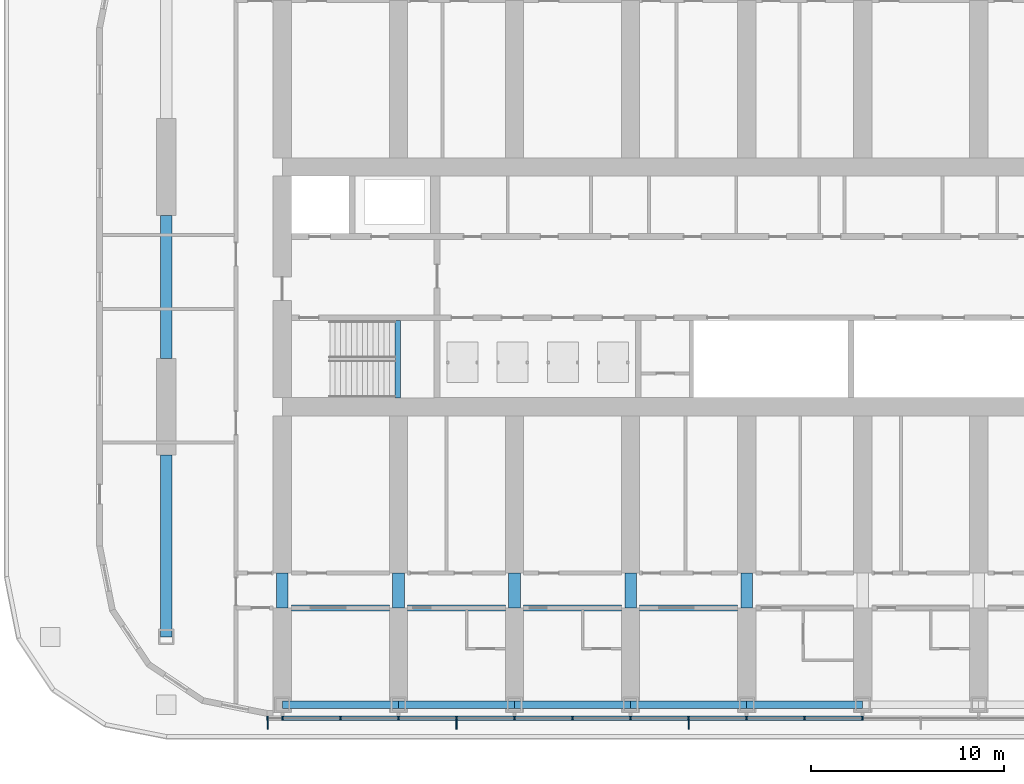
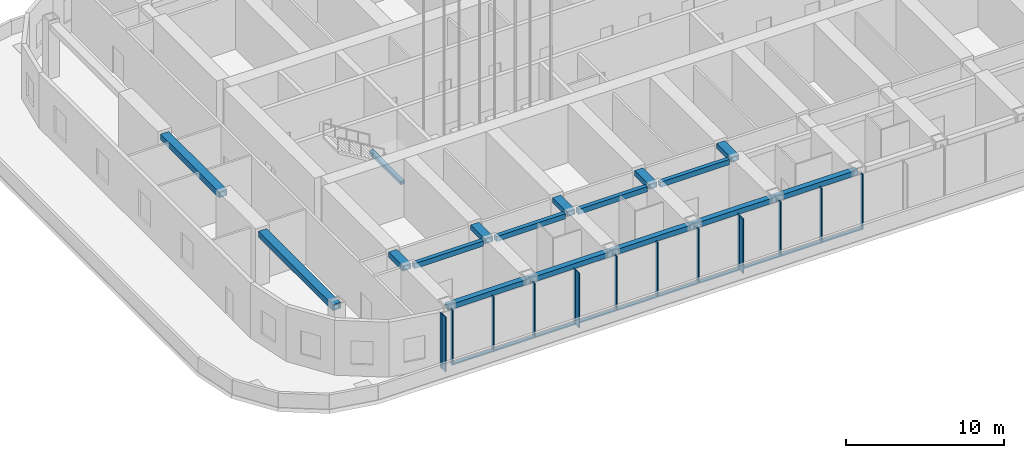
# One storey, part 2 of 32: 25 members, 17 beams, 1 element without a shape of its own.
"""IFC4 building model written with IfcOpenShell, lengths in metres."""

from ifc_helpers import new_model, si_unit, direction, frame, origin, origin_2d, place, context, subcontext, project, spatial, rectangle, hollow_rectangle, extrude, material, material_profile, profile_set, type_object, element, aggregate, save


model = new_model("IFC4")

# Units and contexts
model_context = context("Model", 3, precision=1e-05, world=origin(), true_north=direction((0.0, 1.0)))
body_context = subcontext(model_context, "Body", "Model", "MODEL_VIEW")
ifc_project = project(units=[si_unit("LENGTHUNIT", "METRE"), si_unit("AREAUNIT", "SQUARE_METRE"), si_unit("VOLUMEUNIT", "CUBIC_METRE"), si_unit("PLANEANGLEUNIT", "RADIAN"), si_unit("MASSUNIT", "GRAM", prefix="KILO")], contexts=[model_context])

# Site, building, storey
site_placement = place(None, origin())
site = spatial("IfcSite", under=ifc_project, at=site_placement, CompositionType="ELEMENT")
building_placement = place(site_placement, origin())
building = spatial("IfcBuilding", under=site, at=building_placement, Name="Orbita Commons", CompositionType="ELEMENT")
storey_placement = place(building_placement, frame((0.0, 0.0, 140.35009765625)))
storey = spatial("IfcBuildingStorey", under=building, at=storey_placement, Name="L34", CompositionType="ELEMENT", Elevation=140.35009765625)

# Curtain wall, members
ifc_material_1 = material(Name="Anodised aluminium frame, pale silver", Category="aluminium")
curtain_wall_type = type_object("IfcCurtainWallType", Name="Unitised curtain wall CW-S, full-height", PredefinedType="NOTDEFINED", material=ifc_material_1)
curtain_wall_placement = place(storey_placement, origin())
curtain_wall = element("IfcCurtainWall", 1, at=curtain_wall_placement, inside=storey, type_object=curtain_wall_type, Name="Curtain wall south L34", PredefinedType="NOTDEFINED")
ifc_material_2 = material(Name="Anodised aluminium, pale silver", Category="aluminium")
ifc_material_profile_1 = material_profile(ifc_material_2, rectangle(XDim=0.080078125, YDim=0.219970703125, at=origin_2d()), Name="AL 80x220")
ifc_profile_set_1 = profile_set([ifc_material_profile_1], Name="Anodised aluminium, pale silver")
member_type_1 = type_object("IfcMemberType", Name="Curtain wall mullion 80x220", PredefinedType="MULLION", material=ifc_profile_set_1)
member_1_placement = place(storey_placement, frame((17.239990234375, 9.68994140625, 0.0), z_axis=(0.0, 0.0, 1.0), x_axis=(1.0, 0.0, 0.0)))
member_1 = element("IfcMember", 2, at=member_1_placement, type_object=member_type_1, Name="Mullion 1 CW-L34-S", PredefinedType="MULLION", context=body_context, shape_type="SweptSolid", body=[
    extrude(rectangle(XDim=0.080078125, YDim=0.219970703125, at=origin_2d()), origin(), (0.0, 0.0, 1.0), 4.25),
])
member_2_placement = place(storey_placement, frame((18.0, 9.68994140625, 0.0), z_axis=(0.0, 0.0, 1.0), x_axis=(1.0, 0.0, 0.0)))
member_2 = element("IfcMember", 3, at=member_2_placement, type_object=member_type_1, Name="Mullion 2 CW-L34-S", PredefinedType="MULLION", context=body_context, shape_type="SweptSolid", body=[
    extrude(rectangle(XDim=0.080078125, YDim=0.219970703125, at=origin_2d()), origin(), (0.0, 0.0, 1.0), 4.25),
])
member_3_placement = place(storey_placement, frame((21.0, 9.68994140625, 0.0), z_axis=(0.0, 0.0, 1.0), x_axis=(1.0, 0.0, 0.0)))
member_3 = element("IfcMember", 4, at=member_3_placement, type_object=member_type_1, Name="Mullion 3 CW-L34-S", PredefinedType="MULLION", context=body_context, shape_type="SweptSolid", body=[
    extrude(rectangle(XDim=0.080078125, YDim=0.219970703125, at=origin_2d()), origin(), (0.0, 0.0, 1.0), 4.25),
])
member_4_placement = place(storey_placement, frame((24.0, 9.68994140625, 0.0), z_axis=(0.0, 0.0, 1.0), x_axis=(1.0, 0.0, 0.0)))
member_4 = element("IfcMember", 5, at=member_4_placement, type_object=member_type_1, Name="Mullion 4 CW-L34-S", PredefinedType="MULLION", context=body_context, shape_type="SweptSolid", body=[
    extrude(rectangle(XDim=0.080078125, YDim=0.219970703125, at=origin_2d()), origin(), (0.0, 0.0, 1.0), 4.25),
])
member_5_placement = place(storey_placement, frame((27.0, 9.68994140625, 0.0), z_axis=(0.0, 0.0, 1.0), x_axis=(1.0, 0.0, 0.0)))
member_5 = element("IfcMember", 6, at=member_5_placement, type_object=member_type_1, Name="Mullion 5 CW-L34-S", PredefinedType="MULLION", context=body_context, shape_type="SweptSolid", body=[
    extrude(rectangle(XDim=0.080078125, YDim=0.219970703125, at=origin_2d()), origin(), (0.0, 0.0, 1.0), 4.25),
])
member_6_placement = place(storey_placement, frame((30.0, 9.68994140625, 0.0), z_axis=(0.0, 0.0, 1.0), x_axis=(1.0, 0.0, 0.0)))
member_6 = element("IfcMember", 7, at=member_6_placement, type_object=member_type_1, Name="Mullion 6 CW-L34-S", PredefinedType="MULLION", context=body_context, shape_type="SweptSolid", body=[
    extrude(rectangle(XDim=0.080078125, YDim=0.219970703125, at=origin_2d()), origin(), (0.0, 0.0, 1.0), 4.25),
])
member_7_placement = place(storey_placement, frame((33.0, 9.68994140625, 0.0), z_axis=(0.0, 0.0, 1.0), x_axis=(1.0, 0.0, 0.0)))
member_7 = element("IfcMember", 8, at=member_7_placement, type_object=member_type_1, Name="Mullion 7 CW-L34-S", PredefinedType="MULLION", context=body_context, shape_type="SweptSolid", body=[
    extrude(rectangle(XDim=0.080078125, YDim=0.219970703125, at=origin_2d()), origin(), (0.0, 0.0, 1.0), 4.25),
])
member_8_placement = place(storey_placement, frame((36.0, 9.68994140625, 0.0), z_axis=(0.0, 0.0, 1.0), x_axis=(1.0, 0.0, 0.0)))
member_8 = element("IfcMember", 9, at=member_8_placement, type_object=member_type_1, Name="Mullion 8 CW-L34-S", PredefinedType="MULLION", context=body_context, shape_type="SweptSolid", body=[
    extrude(rectangle(XDim=0.080078125, YDim=0.219970703125, at=origin_2d()), origin(), (0.0, 0.0, 1.0), 4.25),
])
member_9_placement = place(storey_placement, frame((39.0, 9.68994140625, 0.0), z_axis=(0.0, 0.0, 1.0), x_axis=(1.0, 0.0, 0.0)))
member_9 = element("IfcMember", 10, at=member_9_placement, type_object=member_type_1, Name="Mullion 9 CW-L34-S", PredefinedType="MULLION", context=body_context, shape_type="SweptSolid", body=[
    extrude(rectangle(XDim=0.080078125, YDim=0.219970703125, at=origin_2d()), origin(), (0.0, 0.0, 1.0), 4.25),
])
member_10_placement = place(storey_placement, frame((42.0, 9.68994140625, 0.0), z_axis=(0.0, 0.0, 1.0), x_axis=(1.0, 0.0, 0.0)))
member_10 = element("IfcMember", 11, at=member_10_placement, type_object=member_type_1, Name="Mullion 10 CW-L34-S", PredefinedType="MULLION", context=body_context, shape_type="SweptSolid", body=[
    extrude(rectangle(XDim=0.080078125, YDim=0.219970703125, at=origin_2d()), origin(), (0.0, 0.0, 1.0), 4.25),
])
member_11_placement = place(storey_placement, frame((45.0, 9.68994140625, 0.0), z_axis=(0.0, 0.0, 1.0), x_axis=(1.0, 0.0, 0.0)))
member_11 = element("IfcMember", 12, at=member_11_placement, type_object=member_type_1, Name="Mullion 11 CW-L34-S", PredefinedType="MULLION", context=body_context, shape_type="SweptSolid", body=[
    extrude(rectangle(XDim=0.080078125, YDim=0.219970703125, at=origin_2d()), origin(), (0.0, 0.0, 1.0), 4.25),
])
member_12_placement = place(storey_placement, frame((48.0, 9.68994140625, 0.0), z_axis=(0.0, 0.0, 1.0), x_axis=(1.0, 0.0, 0.0)))
member_12 = element("IfcMember", 13, at=member_12_placement, type_object=member_type_1, Name="Mullion 12 CW-L34-S", PredefinedType="MULLION", context=body_context, shape_type="SweptSolid", body=[
    extrude(rectangle(XDim=0.080078125, YDim=0.219970703125, at=origin_2d()), origin(), (0.0, 0.0, 1.0), 4.25),
])
ifc_material_3 = material(Name="Anodised aluminium, pale silver", Category="aluminium")
ifc_material_profile_2 = material_profile(ifc_material_3, rectangle(XDim=0.219970703125, YDim=0.10009765625, at=origin_2d()), Name="AL 220x100")
ifc_profile_set_2 = profile_set([ifc_material_profile_2], Name="Anodised aluminium, pale silver")
member_type_2 = type_object("IfcMemberType", Name="Curtain wall stack transom 220x100", PredefinedType="USERDEFINED", material=ifc_profile_set_2)
member_13_placement = place(storey_placement, frame((18.0400390625, 9.68994140625, 0.0498046875), z_axis=(1.0, 0.0, 0.0), x_axis=(0.0, 1.0, 0.0)))
member_13 = element("IfcMember", 14, at=member_13_placement, type_object=member_type_2, Name="Transom 2.1 CW-L34-S", ObjectType="TRANSOM", PredefinedType="USERDEFINED", context=body_context, shape_type="SweptSolid", body=[
    extrude(rectangle(XDim=0.219970703125, YDim=0.10009765625, at=origin_2d()), origin(), (0.0, 0.0, 1.0), 2.919921875),
])
member_14_placement = place(storey_placement, frame((21.0400390625, 9.68994140625, 0.0498046875), z_axis=(1.0, 0.0, 0.0), x_axis=(0.0, 1.0, 0.0)))
member_14 = element("IfcMember", 15, at=member_14_placement, type_object=member_type_2, Name="Transom 3.1 CW-L34-S", ObjectType="TRANSOM", PredefinedType="USERDEFINED", context=body_context, shape_type="SweptSolid", body=[
    extrude(rectangle(XDim=0.219970703125, YDim=0.10009765625, at=origin_2d()), origin(), (0.0, 0.0, 1.0), 2.919921875),
])
member_15_placement = place(storey_placement, frame((24.0400390625, 9.68994140625, 0.0498046875), z_axis=(1.0, 0.0, 0.0), x_axis=(0.0, 1.0, 0.0)))
member_15 = element("IfcMember", 16, at=member_15_placement, type_object=member_type_2, Name="Transom 4.1 CW-L34-S", ObjectType="TRANSOM", PredefinedType="USERDEFINED", context=body_context, shape_type="SweptSolid", body=[
    extrude(rectangle(XDim=0.219970703125, YDim=0.10009765625, at=origin_2d()), origin(), (0.0, 0.0, 1.0), 2.919921875),
])
member_16_placement = place(storey_placement, frame((27.0400390625, 9.68994140625, 0.0498046875), z_axis=(1.0, 0.0, 0.0), x_axis=(0.0, 1.0, 0.0)))
member_16 = element("IfcMember", 17, at=member_16_placement, type_object=member_type_2, Name="Transom 5.1 CW-L34-S", ObjectType="TRANSOM", PredefinedType="USERDEFINED", context=body_context, shape_type="SweptSolid", body=[
    extrude(rectangle(XDim=0.219970703125, YDim=0.10009765625, at=origin_2d()), origin(), (0.0, 0.0, 1.0), 2.919921875),
])
member_17_placement = place(storey_placement, frame((30.0400390625, 9.68994140625, 0.0498046875), z_axis=(1.0, 0.0, 0.0), x_axis=(0.0, 1.0, 0.0)))
member_17 = element("IfcMember", 18, at=member_17_placement, type_object=member_type_2, Name="Transom 6.1 CW-L34-S", ObjectType="TRANSOM", PredefinedType="USERDEFINED", context=body_context, shape_type="SweptSolid", body=[
    extrude(rectangle(XDim=0.219970703125, YDim=0.10009765625, at=origin_2d()), origin(), (0.0, 0.0, 1.0), 2.919921875),
])
member_18_placement = place(storey_placement, frame((33.0400390625, 9.68994140625, 0.0498046875), z_axis=(1.0, 0.0, 0.0), x_axis=(0.0, 1.0, 0.0)))
member_18 = element("IfcMember", 19, at=member_18_placement, type_object=member_type_2, Name="Transom 7.1 CW-L34-S", ObjectType="TRANSOM", PredefinedType="USERDEFINED", context=body_context, shape_type="SweptSolid", body=[
    extrude(rectangle(XDim=0.219970703125, YDim=0.10009765625, at=origin_2d()), origin(), (0.0, 0.0, 1.0), 2.919921875),
])
member_19_placement = place(storey_placement, frame((36.0400390625, 9.68994140625, 0.0498046875), z_axis=(1.0, 0.0, 0.0), x_axis=(0.0, 1.0, 0.0)))
member_19 = element("IfcMember", 20, at=member_19_placement, type_object=member_type_2, Name="Transom 8.1 CW-L34-S", ObjectType="TRANSOM", PredefinedType="USERDEFINED", context=body_context, shape_type="SweptSolid", body=[
    extrude(rectangle(XDim=0.219970703125, YDim=0.10009765625, at=origin_2d()), origin(), (0.0, 0.0, 1.0), 2.919921875),
])
member_20_placement = place(storey_placement, frame((39.0400390625, 9.68994140625, 0.0498046875), z_axis=(1.0, 0.0, 0.0), x_axis=(0.0, 1.0, 0.0)))
member_20 = element("IfcMember", 21, at=member_20_placement, type_object=member_type_2, Name="Transom 9.1 CW-L34-S", ObjectType="TRANSOM", PredefinedType="USERDEFINED", context=body_context, shape_type="SweptSolid", body=[
    extrude(rectangle(XDim=0.219970703125, YDim=0.10009765625, at=origin_2d()), origin(), (0.0, 0.0, 1.0), 2.919921875),
])
member_21_placement = place(storey_placement, frame((42.0400390625, 9.68994140625, 0.0498046875), z_axis=(1.0, 0.0, 0.0), x_axis=(0.0, 1.0, 0.0)))
member_21 = element("IfcMember", 22, at=member_21_placement, type_object=member_type_2, Name="Transom 10.1 CW-L34-S", ObjectType="TRANSOM", PredefinedType="USERDEFINED", context=body_context, shape_type="SweptSolid", body=[
    extrude(rectangle(XDim=0.219970703125, YDim=0.10009765625, at=origin_2d()), origin(), (0.0, 0.0, 1.0), 2.919921875),
])
member_22_placement = place(storey_placement, frame((45.0400390625, 9.68994140625, 0.0498046875), z_axis=(1.0, 0.0, 0.0), x_axis=(0.0, 1.0, 0.0)))
member_22 = element("IfcMember", 23, at=member_22_placement, type_object=member_type_2, Name="Transom 11.1 CW-L34-S", ObjectType="TRANSOM", PredefinedType="USERDEFINED", context=body_context, shape_type="SweptSolid", body=[
    extrude(rectangle(XDim=0.219970703125, YDim=0.10009765625, at=origin_2d()), origin(), (0.0, 0.0, 1.0), 2.919921875),
])

# Beams
ifc_material_4 = material(Name="Steel ASTM A572 Gr 50 welded plate", Category="steel")
ifc_material_profile_3 = material_profile(ifc_material_4, hollow_rectangle(XDim=0.300048828125, YDim=0.25, WallThickness=0.02490234375, at=origin_2d()), Name="BOX 250x300x25")
ifc_profile_set_3 = profile_set([ifc_material_profile_3], Name="Steel ASTM A572 Gr 50 welded plate")
beam_type_1 = type_object("IfcBeamType", Name="Stair landing beam steel BOX 250x300x25", PredefinedType="BEAM", material=ifc_profile_set_3)
beam_1_placement = place(storey_placement, frame((23.9599609375, 26.260009765625, 1.9248046875), z_axis=(0.0, 1.0, 0.0), x_axis=(-1.0, 0.0, 0.0)))
element("IfcBeam", 24, at=beam_1_placement, inside=storey, type_object=beam_type_1, Name="Stair S1 landing beam L34 1", PredefinedType="BEAM", context=body_context, shape_type="SweptSolid", body=[
    extrude(hollow_rectangle(XDim=0.300048828125, YDim=0.25, WallThickness=0.02490234375, at=origin_2d()), origin(), (0.0, 0.0, 1.0), 4.0048828125),
])
ifc_material_5 = material(Name="Steel ASTM A572 Gr 50 welded plate", Category="steel")
ifc_material_profile_4 = material_profile(ifc_material_5, hollow_rectangle(XDim=0.300048828125, YDim=0.39990234375, WallThickness=0.0400390625, at=origin_2d()), Name="BOX 400x300x40")
ifc_profile_set_4 = profile_set([ifc_material_profile_4], Name="Steel ASTM A572 Gr 50 welded plate")
beam_type_2 = type_object("IfcBeamType", Name="Steel corridor link BOX 400x300x40", PredefinedType="BEAM", material=ifc_profile_set_4)
for number, where, z_axis, x_axis, name in (
    (25, (18.47509765625, 15.39990234375, 4.0498046875), (1.0, 0.0, 0.0), (0.0, 1.0, 0.0), "Corridor beam SA 4-5 L34"),
    (26, (24.47509765625, 15.39990234375, 4.0498046875), (1.0, 0.0, 0.0), (0.0, 1.0, 0.0), "Corridor beam SA 5-6 L34"),
    (27, (30.47509765625, 15.39990234375, 4.0498046875), (1.0, 0.0, 0.0), (0.0, 1.0, 0.0), "Corridor beam SA 6-7 L34"),
    (28, (36.47509765625, 15.39990234375, 4.0498046875), (1.0, 0.0, 0.0), (0.0, 1.0, 0.0), "Corridor beam SA 7-8 L34"),
):
    element("IfcBeam", number, at=place(storey_placement, frame(where, z_axis=z_axis, x_axis=x_axis)), inside=storey, type_object=beam_type_2, Name=name, PredefinedType="BEAM", context=body_context, shape_type="SweptSolid", body=[
        extrude(hollow_rectangle(XDim=0.300048828125, YDim=0.39990234375, WallThickness=0.0400390625, at=origin_2d()), origin(), (0.0, 0.0, 1.0), 5.0498046875),
    ])
ifc_material_6 = material(Name="Steel ASTM A572 Gr 50 welded plate", Category="steel")
ifc_material_profile_5 = material_profile(ifc_material_6, hollow_rectangle(XDim=0.60009765625, YDim=0.39990234375, WallThickness=0.050048828125, at=origin_2d()), Name="BOX 400x600x50")
ifc_profile_set_5 = profile_set([ifc_material_profile_5], Name="Steel ASTM A572 Gr 50 welded plate")
beam_type_3 = type_object("IfcBeamType", Name="Steel coupling link BOX 400x600x50", PredefinedType="LINTEL", material=ifc_profile_set_5)
for number, where, z_axis, x_axis, name in (
    (29, (18.0, 15.39990234375, 4.0498046875), (0.0, 1.0, 0.0), (-1.0, 0.0, 0.0), "Coupling beam 4 south L34"),
    (30, (24.0, 15.39990234375, 4.0498046875), (0.0, 1.0, 0.0), (-1.0, 0.0, 0.0), "Coupling beam 5 south L34"),
    (31, (30.0, 15.39990234375, 4.0498046875), (0.0, 1.0, 0.0), (-1.0, 0.0, 0.0), "Coupling beam 6 south L34"),
    (32, (36.0, 15.39990234375, 4.0498046875), (0.0, 1.0, 0.0), (-1.0, 0.0, 0.0), "Coupling beam 7 south L34"),
    (33, (42.0, 15.39990234375, 4.0498046875), (0.0, 1.0, 0.0), (-1.0, 0.0, 0.0), "Coupling beam 8 south L34"),
):
    element("IfcBeam", number, at=place(storey_placement, frame(where, z_axis=z_axis, x_axis=x_axis)), inside=storey, type_object=beam_type_3, Name=name, PredefinedType="LINTEL", context=body_context, shape_type="SweptSolid", body=[
        extrude(hollow_rectangle(XDim=0.60009765625, YDim=0.39990234375, WallThickness=0.050048828125, at=origin_2d()), origin(), (0.0, 0.0, 1.0), 1.800048828125),
    ])
ifc_material_7 = material(Name="Steel ASTM A572 Gr 50 welded plate", Category="steel")
ifc_material_profile_6 = material_profile(ifc_material_7, hollow_rectangle(XDim=0.60009765625, YDim=0.449951171875, WallThickness=0.06005859375, at=origin_2d()), Name="BOX 450x600x60")
ifc_profile_set_6 = profile_set([ifc_material_profile_6], Name="Steel ASTM A572 Gr 50 welded plate")
beam_type_4 = type_object("IfcBeamType", Name="Steel end frame link BOX 450x600x60", PredefinedType="BEAM", material=ifc_profile_set_6)
beam_2_placement = place(storey_placement, frame((12.0, 13.89990234375, 4.02490234375), z_axis=(0.0, 1.0, 0.0), x_axis=(-1.0, 0.0, 0.0)))
element("IfcBeam", 34, at=beam_2_placement, inside=storey, type_object=beam_type_4, Name="End frame beam 3 B-C L34", PredefinedType="BEAM", context=body_context, shape_type="SweptSolid", body=[
    extrude(hollow_rectangle(XDim=0.60009765625, YDim=0.449951171875, WallThickness=0.06005859375, at=origin_2d()), origin(), (0.0, 0.0, 1.0), 9.400146484375),
])
beam_3_placement = place(storey_placement, frame((12.0, 28.300048828125, 4.02490234375), z_axis=(0.0, 1.0, 0.0), x_axis=(-1.0, 0.0, 0.0)))
element("IfcBeam", 35, at=beam_3_placement, inside=storey, type_object=beam_type_4, Name="End frame beam 3 C-D L34", PredefinedType="BEAM", context=body_context, shape_type="SweptSolid", body=[
    extrude(hollow_rectangle(XDim=0.60009765625, YDim=0.449951171875, WallThickness=0.06005859375, at=origin_2d()), origin(), (0.0, 0.0, 1.0), 7.39990234375),
])
ifc_material_8 = material(Name="Steel ASTM A572 Gr 50 welded plate", Category="steel")
ifc_material_profile_7 = material_profile(ifc_material_8, hollow_rectangle(XDim=0.39990234375, YDim=0.39990234375, WallThickness=0.0400390625, at=origin_2d()), Name="BOX 400x400x40")
ifc_profile_set_7 = profile_set([ifc_material_profile_7], Name="Steel ASTM A572 Gr 50 welded plate")
beam_type_5 = type_object("IfcBeamType", Name="Steel spandrel BOX 400x400x40", PredefinedType="SPANDREL", material=ifc_profile_set_7)
for number, where, z_axis, x_axis, name in (
    (36, (18.0, 10.39990234375, 4.0498046875), (1.0, 0.0, 0.0), (0.0, 1.0, 0.0), "Spandrel beam B 4-5 L34"),
    (37, (24.0, 10.39990234375, 4.0498046875), (1.0, 0.0, 0.0), (0.0, 1.0, 0.0), "Spandrel beam B 5-6 L34"),
    (38, (30.0, 10.39990234375, 4.0498046875), (1.0, 0.0, 0.0), (0.0, 1.0, 0.0), "Spandrel beam B 6-7 L34"),
    (39, (36.0, 10.39990234375, 4.0498046875), (1.0, 0.0, 0.0), (0.0, 1.0, 0.0), "Spandrel beam B 7-8 L34"),
    (40, (42.0, 10.39990234375, 4.0498046875), (1.0, 0.0, 0.0), (0.0, 1.0, 0.0), "Spandrel beam B 8-9 L34"),
):
    element("IfcBeam", number, at=place(storey_placement, frame(where, z_axis=z_axis, x_axis=x_axis)), inside=storey, type_object=beam_type_5, Name=name, PredefinedType="SPANDREL", context=body_context, shape_type="SweptSolid", body=[
        extrude(hollow_rectangle(XDim=0.39990234375, YDim=0.39990234375, WallThickness=0.0400390625, at=origin_2d()), origin(), (0.0, 0.0, 1.0), 6.0),
    ])

# Member
ifc_material_9 = material(Name="Anodised aluminium, pale silver", Category="aluminium")
ifc_material_profile_8 = material_profile(ifc_material_9, rectangle(XDim=0.06005859375, YDim=0.449951171875, at=origin_2d()), Name="FIN 60x450")
ifc_profile_set_8 = profile_set([ifc_material_profile_8], Name="Anodised aluminium, pale silver")
member_type_3 = type_object("IfcMemberType", Name="Vertical fin 60x450 pale aluminium", PredefinedType="USERDEFINED", material=ifc_profile_set_8)
member_23_placement = place(storey_placement, frame((17.239990234375, 9.35498046875, 0.0), z_axis=(0.0, 0.0, 1.0), x_axis=(1.0, 0.0, 0.0)))
member_23 = element("IfcMember", 41, at=member_23_placement, type_object=member_type_3, Name="Fin 1 CW-L34-S", ObjectType="FIN", PredefinedType="USERDEFINED", context=body_context, shape_type="SweptSolid", body=[
    extrude(rectangle(XDim=0.06005859375, YDim=0.449951171875, at=origin_2d()), origin(), (0.0, 0.0, 1.0), 4.25),
])

member_24_placement = place(storey_placement, frame((27.0, 9.35498046875, 0.0), z_axis=(0.0, 0.0, 1.0), x_axis=(1.0, 0.0, 0.0)))
member_24 = element("IfcMember", 42, at=member_24_placement, type_object=member_type_3, Name="Fin 5 CW-L34-S", ObjectType="FIN", PredefinedType="USERDEFINED", context=body_context, shape_type="SweptSolid", body=[
    extrude(rectangle(XDim=0.06005859375, YDim=0.449951171875, at=origin_2d()), origin(), (0.0, 0.0, 1.0), 4.25),
])

member_25_placement = place(storey_placement, frame((39.0, 9.35498046875, 0.0), z_axis=(0.0, 0.0, 1.0), x_axis=(1.0, 0.0, 0.0)))
member_25 = element("IfcMember", 43, at=member_25_placement, type_object=member_type_3, Name="Fin 9 CW-L34-S", ObjectType="FIN", PredefinedType="USERDEFINED", context=body_context, shape_type="SweptSolid", body=[
    extrude(rectangle(XDim=0.06005859375, YDim=0.449951171875, at=origin_2d()), origin(), (0.0, 0.0, 1.0), 4.25),
])

aggregate(curtain_wall, [member_1, member_23, member_2, member_3, member_4, member_5, member_24, member_6, member_7, member_8, member_9, member_25, member_10, member_11, member_12, member_13, member_14, member_15, member_16, member_17, member_18, member_19, member_20, member_21, member_22])

save(model, "model.ifc")
